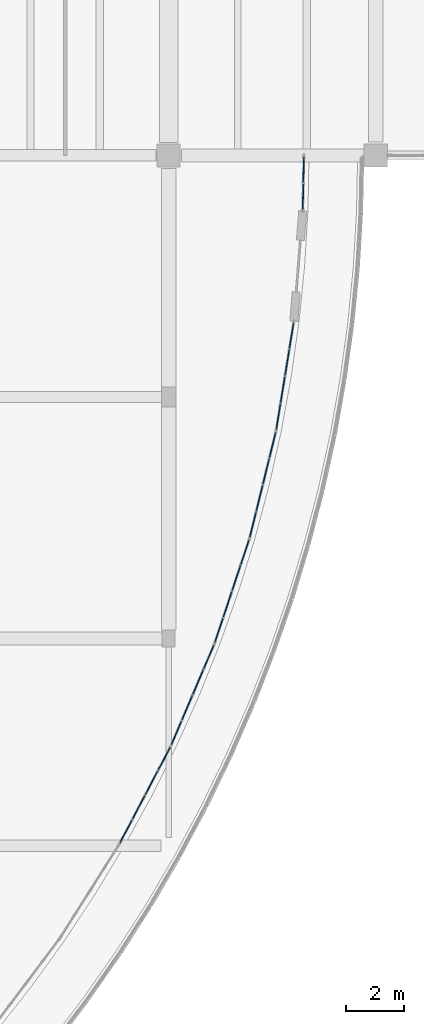
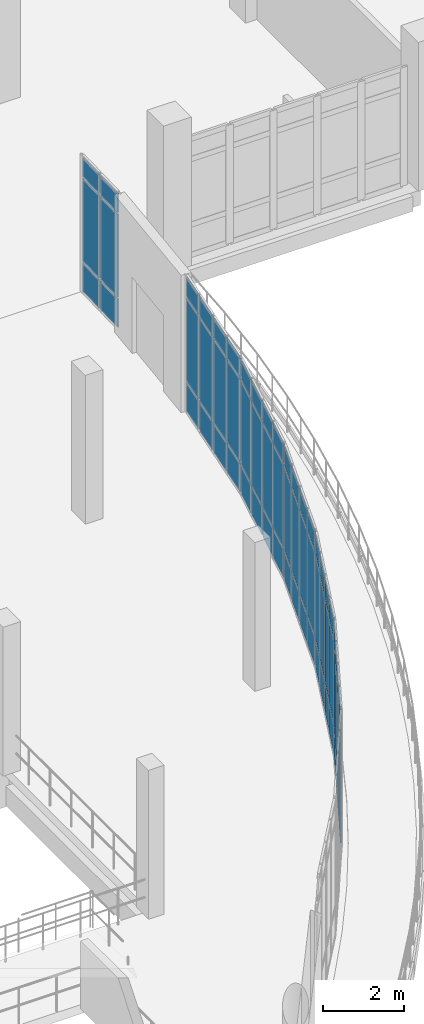
# One storey, part 100 of 124: 66 plates, 6 elements without a shape of their own.
"""IFC4 building model written with IfcOpenShell, lengths in metres."""

from ifc_helpers import new_model, si_unit, direction, frame, origin, origin_2d, place, context, subcontext, project, spatial, rectangle, extrude, material, layer, layer_set, type_object, element, aggregate, save


model = new_model("IFC4")

# Units and contexts
model_context = context("Model", 3, precision=1e-05, world=origin(), true_north=direction((0.0, 1.0)))
body_context = subcontext(model_context, "Body", "Model", "MODEL_VIEW")
ifc_project = project(units=[si_unit("LENGTHUNIT", "METRE"), si_unit("AREAUNIT", "SQUARE_METRE"), si_unit("VOLUMEUNIT", "CUBIC_METRE"), si_unit("PLANEANGLEUNIT", "RADIAN"), si_unit("MASSUNIT", "GRAM", prefix="KILO")], contexts=[model_context])

# Site, building, storey
site_placement = place(None, origin())
site = spatial("IfcSite", under=ifc_project, at=site_placement, CompositionType="ELEMENT")
building_placement = place(site_placement, origin())
building = spatial("IfcBuilding", under=site, at=building_placement, Name="Kalluvel Institute of Natural Sciences", CompositionType="ELEMENT")
storey_placement = place(building_placement, frame((0.0, 0.0, 9.89990234375)))
storey = spatial("IfcBuildingStorey", under=building, at=storey_placement, Name="L02", CompositionType="ELEMENT", Elevation=9.89990234375)

# Curtain wall, plates
ifc_material_1 = material(Name="Aluminium AW-6063 T6", Category="aluminium")
curtain_wall_type = type_object("IfcCurtainWallType", Name="CW-ATR-ARC", PredefinedType="USERDEFINED", material=ifc_material_1)
curtain_wall_1_placement = place(storey_placement, origin())
curtain_wall_1 = element("IfcCurtainWall", 1, at=curtain_wall_1_placement, inside=storey, type_object=curtain_wall_type, Name="L02 Gothic lancet curtain wall CWA-L02-X771-Y788", ObjectType="UNITISED LANCET FACADE", PredefinedType="USERDEFINED")
ifc_material_2 = material(Name="Solar-Control Low-E Laminated Glass", Category="glass")
ifc_layer = layer(ifc_material_2, 0.035888671875)
ifc_layer_set = layer_set([ifc_layer], Name="Solar-Control Low-E Laminated Glass")
plate_type = type_object("IfcPlateType", Name="CWP-DGU-36", PredefinedType="CURTAIN_PANEL", material=ifc_layer_set)
plate_1_placement = place(storey_placement, frame((77.313720703125, 79.290283203125, 0.06005859375), z_axis=(0.0, 0.0, 1.0), x_axis=(0.464734316496, 0.885450176504, 0.0)))
plate_1 = element("IfcPlate", 2, at=plate_1_placement, type_object=plate_type, Name="CW-05 panel 1.1", PredefinedType="CURTAIN_PANEL", context=body_context, shape_type="SweptSolid", body=[
    extrude(rectangle(XDim=0.874267578125, YDim=0.035888671875, at=origin_2d()), origin(), (0.0, 0.0, 1.0), 0.860107421875),
])
plate_2_placement = place(storey_placement, frame((77.313720703125, 79.290283203125, 0.97998046875), z_axis=(0.0, 0.0, 1.0), x_axis=(0.464734316496, 0.885450176504, 0.0)))
plate_2 = element("IfcPlate", 3, at=plate_2_placement, type_object=plate_type, Name="CW-05 panel 1.2", PredefinedType="CURTAIN_PANEL", context=body_context, shape_type="SweptSolid", body=[
    extrude(rectangle(XDim=0.874267578125, YDim=0.035888671875, at=origin_2d()), origin(), (0.0, 0.0, 1.0), 2.489990234375),
])
plate_3_placement = place(storey_placement, frame((77.313720703125, 79.290283203125, 3.530029296875), z_axis=(0.0, 0.0, 1.0), x_axis=(0.464734316496, 0.885450176504, 0.0)))
plate_3 = element("IfcPlate", 4, at=plate_3_placement, type_object=plate_type, Name="CW-05 panel 1.3", PredefinedType="CURTAIN_PANEL", context=body_context, shape_type="SweptSolid", body=[
    extrude(rectangle(XDim=0.874267578125, YDim=0.035888671875, at=origin_2d()), origin(), (0.0, 0.0, 1.0), 0.56005859375),
])
plate_4_placement = place(storey_placement, frame((77.7548828125, 80.130859375, 0.06005859375), z_axis=(0.0, 0.0, 1.0), x_axis=(0.464734316496, 0.885450176504, 0.0)))
plate_4 = element("IfcPlate", 5, at=plate_4_placement, type_object=plate_type, Name="CW-05 panel 2.1", PredefinedType="CURTAIN_PANEL", context=body_context, shape_type="SweptSolid", body=[
    extrude(rectangle(XDim=0.904296875, YDim=0.035888671875, at=origin_2d()), origin(), (0.0, 0.0, 1.0), 0.860107421875),
])
plate_5_placement = place(storey_placement, frame((77.7548828125, 80.130859375, 0.97998046875), z_axis=(0.0, 0.0, 1.0), x_axis=(0.464734316496, 0.885450176504, 0.0)))
plate_5 = element("IfcPlate", 6, at=plate_5_placement, type_object=plate_type, Name="CW-05 panel 2.2", PredefinedType="CURTAIN_PANEL", context=body_context, shape_type="SweptSolid", body=[
    extrude(rectangle(XDim=0.904296875, YDim=0.035888671875, at=origin_2d()), origin(), (0.0, 0.0, 1.0), 2.489990234375),
])
plate_6_placement = place(storey_placement, frame((77.7548828125, 80.130859375, 3.530029296875), z_axis=(0.0, 0.0, 1.0), x_axis=(0.464734316496, 0.885450176504, 0.0)))
plate_6 = element("IfcPlate", 7, at=plate_6_placement, type_object=plate_type, Name="CW-05 panel 2.3", PredefinedType="CURTAIN_PANEL", context=body_context, shape_type="SweptSolid", body=[
    extrude(rectangle(XDim=0.904296875, YDim=0.035888671875, at=origin_2d()), origin(), (0.0, 0.0, 1.0), 0.56005859375),
])
plate_7_placement = place(storey_placement, frame((78.203125, 80.98486328125, 0.06005859375), z_axis=(0.0, 0.0, 1.0), x_axis=(0.464734316496, 0.885450176504, 0.0)))
plate_7 = element("IfcPlate", 8, at=plate_7_placement, type_object=plate_type, Name="CW-05 panel 3.1", PredefinedType="CURTAIN_PANEL", context=body_context, shape_type="SweptSolid", body=[
    extrude(rectangle(XDim=0.904296875, YDim=0.035888671875, at=origin_2d()), origin(), (0.0, 0.0, 1.0), 0.860107421875),
])
plate_8_placement = place(storey_placement, frame((78.203125, 80.98486328125, 0.97998046875), z_axis=(0.0, 0.0, 1.0), x_axis=(0.464734316496, 0.885450176504, 0.0)))
plate_8 = element("IfcPlate", 9, at=plate_8_placement, type_object=plate_type, Name="CW-05 panel 3.2", PredefinedType="CURTAIN_PANEL", context=body_context, shape_type="SweptSolid", body=[
    extrude(rectangle(XDim=0.904296875, YDim=0.035888671875, at=origin_2d()), origin(), (0.0, 0.0, 1.0), 2.489990234375),
])
plate_9_placement = place(storey_placement, frame((78.203125, 80.98486328125, 3.530029296875), z_axis=(0.0, 0.0, 1.0), x_axis=(0.464734316496, 0.885450176504, 0.0)))
plate_9 = element("IfcPlate", 10, at=plate_9_placement, type_object=plate_type, Name="CW-05 panel 3.3", PredefinedType="CURTAIN_PANEL", context=body_context, shape_type="SweptSolid", body=[
    extrude(rectangle(XDim=0.904296875, YDim=0.035888671875, at=origin_2d()), origin(), (0.0, 0.0, 1.0), 0.56005859375),
])
plate_10_placement = place(storey_placement, frame((78.644287109375, 81.825439453125, 0.06005859375), z_axis=(0.0, 0.0, 1.0), x_axis=(0.464734316496, 0.885450176504, 0.0)))
plate_10 = element("IfcPlate", 11, at=plate_10_placement, type_object=plate_type, Name="CW-05 panel 4.1", PredefinedType="CURTAIN_PANEL", context=body_context, shape_type="SweptSolid", body=[
    extrude(rectangle(XDim=0.874267578125, YDim=0.035888671875, at=origin_2d()), origin(), (0.0, 0.0, 1.0), 0.860107421875),
])
plate_11_placement = place(storey_placement, frame((78.644287109375, 81.825439453125, 0.97998046875), z_axis=(0.0, 0.0, 1.0), x_axis=(0.464734316496, 0.885450176504, 0.0)))
plate_11 = element("IfcPlate", 12, at=plate_11_placement, type_object=plate_type, Name="CW-05 panel 4.2", PredefinedType="CURTAIN_PANEL", context=body_context, shape_type="SweptSolid", body=[
    extrude(rectangle(XDim=0.874267578125, YDim=0.035888671875, at=origin_2d()), origin(), (0.0, 0.0, 1.0), 2.489990234375),
])
plate_12_placement = place(storey_placement, frame((78.644287109375, 81.825439453125, 3.530029296875), z_axis=(0.0, 0.0, 1.0), x_axis=(0.464734316496, 0.885450176504, 0.0)))
plate_12 = element("IfcPlate", 13, at=plate_12_placement, type_object=plate_type, Name="CW-05 panel 4.3", PredefinedType="CURTAIN_PANEL", context=body_context, shape_type="SweptSolid", body=[
    extrude(rectangle(XDim=0.874267578125, YDim=0.035888671875, at=origin_2d()), origin(), (0.0, 0.0, 1.0), 0.56005859375),
])
aggregate(curtain_wall_1, [plate_1, plate_2, plate_3, plate_4, plate_5, plate_6, plate_7, plate_8, plate_9, plate_10, plate_11, plate_12])

curtain_wall_2_placement = place(storey_placement, origin())
curtain_wall_2 = element("IfcCurtainWall", 14, at=curtain_wall_2_placement, inside=storey, type_object=curtain_wall_type, Name="L02 Gothic lancet curtain wall CWA-L02-X789-Y823", ObjectType="UNITISED LANCET FACADE", PredefinedType="USERDEFINED")
plate_13_placement = place(storey_placement, frame((79.070068359375, 82.722900390625, 0.06005859375), z_axis=(0.0, 0.0, 1.0), x_axis=(0.391966088453, 0.919979665809, 0.0)))
plate_13 = element("IfcPlate", 15, at=plate_13_placement, type_object=plate_type, Name="CW-05 panel 1.1", PredefinedType="CURTAIN_PANEL", context=body_context, shape_type="SweptSolid", body=[
    extrude(rectangle(XDim=0.874267578125, YDim=0.035888671875, at=origin_2d()), origin(), (0.0, 0.0, 1.0), 0.860107421875),
])
plate_14_placement = place(storey_placement, frame((79.070068359375, 82.722900390625, 0.97998046875), z_axis=(0.0, 0.0, 1.0), x_axis=(0.391966088453, 0.919979665809, 0.0)))
plate_14 = element("IfcPlate", 16, at=plate_14_placement, type_object=plate_type, Name="CW-05 panel 1.2", PredefinedType="CURTAIN_PANEL", context=body_context, shape_type="SweptSolid", body=[
    extrude(rectangle(XDim=0.874267578125, YDim=0.035888671875, at=origin_2d()), origin(), (0.0, 0.0, 1.0), 2.489990234375),
])
plate_15_placement = place(storey_placement, frame((79.070068359375, 82.722900390625, 3.530029296875), z_axis=(0.0, 0.0, 1.0), x_axis=(0.391966088453, 0.919979665809, 0.0)))
plate_15 = element("IfcPlate", 17, at=plate_15_placement, type_object=plate_type, Name="CW-05 panel 1.3", PredefinedType="CURTAIN_PANEL", context=body_context, shape_type="SweptSolid", body=[
    extrude(rectangle(XDim=0.874267578125, YDim=0.035888671875, at=origin_2d()), origin(), (0.0, 0.0, 1.0), 0.56005859375),
])
plate_16_placement = place(storey_placement, frame((79.4423828125, 83.596435546875, 0.06005859375), z_axis=(0.0, 0.0, 1.0), x_axis=(0.391966088453, 0.919979665809, 0.0)))
plate_16 = element("IfcPlate", 18, at=plate_16_placement, type_object=plate_type, Name="CW-05 panel 2.1", PredefinedType="CURTAIN_PANEL", context=body_context, shape_type="SweptSolid", body=[
    extrude(rectangle(XDim=0.904296875, YDim=0.035888671875, at=origin_2d()), origin(), (0.0, 0.0, 1.0), 0.860107421875),
])
plate_17_placement = place(storey_placement, frame((79.4423828125, 83.596435546875, 0.97998046875), z_axis=(0.0, 0.0, 1.0), x_axis=(0.391966088453, 0.919979665809, 0.0)))
plate_17 = element("IfcPlate", 19, at=plate_17_placement, type_object=plate_type, Name="CW-05 panel 2.2", PredefinedType="CURTAIN_PANEL", context=body_context, shape_type="SweptSolid", body=[
    extrude(rectangle(XDim=0.904296875, YDim=0.035888671875, at=origin_2d()), origin(), (0.0, 0.0, 1.0), 2.489990234375),
])
plate_18_placement = place(storey_placement, frame((79.4423828125, 83.596435546875, 3.530029296875), z_axis=(0.0, 0.0, 1.0), x_axis=(0.391966088453, 0.919979665809, 0.0)))
plate_18 = element("IfcPlate", 20, at=plate_18_placement, type_object=plate_type, Name="CW-05 panel 2.3", PredefinedType="CURTAIN_PANEL", context=body_context, shape_type="SweptSolid", body=[
    extrude(rectangle(XDim=0.904296875, YDim=0.035888671875, at=origin_2d()), origin(), (0.0, 0.0, 1.0), 0.56005859375),
])
plate_19_placement = place(storey_placement, frame((79.8203125, 84.483642578125, 0.06005859375), z_axis=(0.0, 0.0, 1.0), x_axis=(0.391966088453, 0.919979665809, 0.0)))
plate_19 = element("IfcPlate", 21, at=plate_19_placement, type_object=plate_type, Name="CW-05 panel 3.1", PredefinedType="CURTAIN_PANEL", context=body_context, shape_type="SweptSolid", body=[
    extrude(rectangle(XDim=0.904296875, YDim=0.035888671875, at=origin_2d()), origin(), (0.0, 0.0, 1.0), 0.860107421875),
])
plate_20_placement = place(storey_placement, frame((79.8203125, 84.483642578125, 0.97998046875), z_axis=(0.0, 0.0, 1.0), x_axis=(0.391966088453, 0.919979665809, 0.0)))
plate_20 = element("IfcPlate", 22, at=plate_20_placement, type_object=plate_type, Name="CW-05 panel 3.2", PredefinedType="CURTAIN_PANEL", context=body_context, shape_type="SweptSolid", body=[
    extrude(rectangle(XDim=0.904296875, YDim=0.035888671875, at=origin_2d()), origin(), (0.0, 0.0, 1.0), 2.489990234375),
])
plate_21_placement = place(storey_placement, frame((79.8203125, 84.483642578125, 3.530029296875), z_axis=(0.0, 0.0, 1.0), x_axis=(0.391966088453, 0.919979665809, 0.0)))
plate_21 = element("IfcPlate", 23, at=plate_21_placement, type_object=plate_type, Name="CW-05 panel 3.3", PredefinedType="CURTAIN_PANEL", context=body_context, shape_type="SweptSolid", body=[
    extrude(rectangle(XDim=0.904296875, YDim=0.035888671875, at=origin_2d()), origin(), (0.0, 0.0, 1.0), 0.56005859375),
])
plate_22_placement = place(storey_placement, frame((80.1923828125, 85.35693359375, 0.06005859375), z_axis=(0.0, 0.0, 1.0), x_axis=(0.391966088453, 0.919979665809, 0.0)))
plate_22 = element("IfcPlate", 24, at=plate_22_placement, type_object=plate_type, Name="CW-05 panel 4.1", PredefinedType="CURTAIN_PANEL", context=body_context, shape_type="SweptSolid", body=[
    extrude(rectangle(XDim=0.874267578125, YDim=0.035888671875, at=origin_2d()), origin(), (0.0, 0.0, 1.0), 0.860107421875),
])
plate_23_placement = place(storey_placement, frame((80.1923828125, 85.35693359375, 0.97998046875), z_axis=(0.0, 0.0, 1.0), x_axis=(0.391966088453, 0.919979665809, 0.0)))
plate_23 = element("IfcPlate", 25, at=plate_23_placement, type_object=plate_type, Name="CW-05 panel 4.2", PredefinedType="CURTAIN_PANEL", context=body_context, shape_type="SweptSolid", body=[
    extrude(rectangle(XDim=0.874267578125, YDim=0.035888671875, at=origin_2d()), origin(), (0.0, 0.0, 1.0), 2.489990234375),
])
plate_24_placement = place(storey_placement, frame((80.1923828125, 85.35693359375, 3.530029296875), z_axis=(0.0, 0.0, 1.0), x_axis=(0.391966088453, 0.919979665809, 0.0)))
plate_24 = element("IfcPlate", 26, at=plate_24_placement, type_object=plate_type, Name="CW-05 panel 4.3", PredefinedType="CURTAIN_PANEL", context=body_context, shape_type="SweptSolid", body=[
    extrude(rectangle(XDim=0.874267578125, YDim=0.035888671875, at=origin_2d()), origin(), (0.0, 0.0, 1.0), 0.56005859375),
])
aggregate(curtain_wall_2, [plate_13, plate_14, plate_15, plate_16, plate_17, plate_18, plate_19, plate_20, plate_21, plate_22, plate_23, plate_24])

curtain_wall_3_placement = place(storey_placement, origin())
curtain_wall_3 = element("IfcCurtainWall", 27, at=curtain_wall_3_placement, inside=storey, type_object=curtain_wall_type, Name="L02 Gothic lancet curtain wall CWA-L02-X804-Y858", ObjectType="UNITISED LANCET FACADE", PredefinedType="USERDEFINED")
plate_25_placement = place(storey_placement, frame((80.544677734375, 86.285888671875, 0.06005859375), z_axis=(0.0, 0.0, 1.0), x_axis=(0.316655471516, 0.948540622408, 0.0)))
plate_25 = element("IfcPlate", 28, at=plate_25_placement, type_object=plate_type, Name="CW-05 panel 1.1", PredefinedType="CURTAIN_PANEL", context=body_context, shape_type="SweptSolid", body=[
    extrude(rectangle(XDim=0.874267578125, YDim=0.035888671875, at=origin_2d()), origin(), (0.0, 0.0, 1.0), 0.860107421875),
])
plate_26_placement = place(storey_placement, frame((80.544677734375, 86.285888671875, 0.97998046875), z_axis=(0.0, 0.0, 1.0), x_axis=(0.316655471516, 0.948540622408, 0.0)))
plate_26 = element("IfcPlate", 29, at=plate_26_placement, type_object=plate_type, Name="CW-05 panel 1.2", PredefinedType="CURTAIN_PANEL", context=body_context, shape_type="SweptSolid", body=[
    extrude(rectangle(XDim=0.874267578125, YDim=0.035888671875, at=origin_2d()), origin(), (0.0, 0.0, 1.0), 2.489990234375),
])
plate_27_placement = place(storey_placement, frame((80.544677734375, 86.285888671875, 3.530029296875), z_axis=(0.0, 0.0, 1.0), x_axis=(0.316655471516, 0.948540622408, 0.0)))
plate_27 = element("IfcPlate", 30, at=plate_27_placement, type_object=plate_type, Name="CW-05 panel 1.3", PredefinedType="CURTAIN_PANEL", context=body_context, shape_type="SweptSolid", body=[
    extrude(rectangle(XDim=0.874267578125, YDim=0.035888671875, at=origin_2d()), origin(), (0.0, 0.0, 1.0), 0.56005859375),
])
plate_28_placement = place(storey_placement, frame((80.845458984375, 87.1865234375, 0.06005859375), z_axis=(0.0, 0.0, 1.0), x_axis=(0.316655471516, 0.948540622408, 0.0)))
plate_28 = element("IfcPlate", 31, at=plate_28_placement, type_object=plate_type, Name="CW-05 panel 2.1", PredefinedType="CURTAIN_PANEL", context=body_context, shape_type="SweptSolid", body=[
    extrude(rectangle(XDim=0.904296875, YDim=0.035888671875, at=origin_2d()), origin(), (0.0, 0.0, 1.0), 0.860107421875),
])
plate_29_placement = place(storey_placement, frame((80.845458984375, 87.1865234375, 0.97998046875), z_axis=(0.0, 0.0, 1.0), x_axis=(0.316655471516, 0.948540622408, 0.0)))
plate_29 = element("IfcPlate", 32, at=plate_29_placement, type_object=plate_type, Name="CW-05 panel 2.2", PredefinedType="CURTAIN_PANEL", context=body_context, shape_type="SweptSolid", body=[
    extrude(rectangle(XDim=0.904296875, YDim=0.035888671875, at=origin_2d()), origin(), (0.0, 0.0, 1.0), 2.489990234375),
])
plate_30_placement = place(storey_placement, frame((80.845458984375, 87.1865234375, 3.530029296875), z_axis=(0.0, 0.0, 1.0), x_axis=(0.316655471516, 0.948540622408, 0.0)))
plate_30 = element("IfcPlate", 33, at=plate_30_placement, type_object=plate_type, Name="CW-05 panel 2.3", PredefinedType="CURTAIN_PANEL", context=body_context, shape_type="SweptSolid", body=[
    extrude(rectangle(XDim=0.904296875, YDim=0.035888671875, at=origin_2d()), origin(), (0.0, 0.0, 1.0), 0.56005859375),
])
plate_31_placement = place(storey_placement, frame((81.150634765625, 88.101318359375, 0.06005859375), z_axis=(0.0, 0.0, 1.0), x_axis=(0.316655471516, 0.948540622408, 0.0)))
plate_31 = element("IfcPlate", 34, at=plate_31_placement, type_object=plate_type, Name="CW-05 panel 3.1", PredefinedType="CURTAIN_PANEL", context=body_context, shape_type="SweptSolid", body=[
    extrude(rectangle(XDim=0.904296875, YDim=0.035888671875, at=origin_2d()), origin(), (0.0, 0.0, 1.0), 0.860107421875),
])
plate_32_placement = place(storey_placement, frame((81.150634765625, 88.101318359375, 0.97998046875), z_axis=(0.0, 0.0, 1.0), x_axis=(0.316655471516, 0.948540622408, 0.0)))
plate_32 = element("IfcPlate", 35, at=plate_32_placement, type_object=plate_type, Name="CW-05 panel 3.2", PredefinedType="CURTAIN_PANEL", context=body_context, shape_type="SweptSolid", body=[
    extrude(rectangle(XDim=0.904296875, YDim=0.035888671875, at=origin_2d()), origin(), (0.0, 0.0, 1.0), 2.489990234375),
])
plate_33_placement = place(storey_placement, frame((81.150634765625, 88.101318359375, 3.530029296875), z_axis=(0.0, 0.0, 1.0), x_axis=(0.316655471516, 0.948540622408, 0.0)))
plate_33 = element("IfcPlate", 36, at=plate_33_placement, type_object=plate_type, Name="CW-05 panel 3.3", PredefinedType="CURTAIN_PANEL", context=body_context, shape_type="SweptSolid", body=[
    extrude(rectangle(XDim=0.904296875, YDim=0.035888671875, at=origin_2d()), origin(), (0.0, 0.0, 1.0), 0.56005859375),
])
plate_34_placement = place(storey_placement, frame((81.451416015625, 89.001708984375, 0.06005859375), z_axis=(0.0, 0.0, 1.0), x_axis=(0.316655471516, 0.948540622408, 0.0)))
plate_34 = element("IfcPlate", 37, at=plate_34_placement, type_object=plate_type, Name="CW-05 panel 4.1", PredefinedType="CURTAIN_PANEL", context=body_context, shape_type="SweptSolid", body=[
    extrude(rectangle(XDim=0.874267578125, YDim=0.035888671875, at=origin_2d()), origin(), (0.0, 0.0, 1.0), 0.860107421875),
])
plate_35_placement = place(storey_placement, frame((81.451416015625, 89.001708984375, 0.97998046875), z_axis=(0.0, 0.0, 1.0), x_axis=(0.316655471516, 0.948540622408, 0.0)))
plate_35 = element("IfcPlate", 38, at=plate_35_placement, type_object=plate_type, Name="CW-05 panel 4.2", PredefinedType="CURTAIN_PANEL", context=body_context, shape_type="SweptSolid", body=[
    extrude(rectangle(XDim=0.874267578125, YDim=0.035888671875, at=origin_2d()), origin(), (0.0, 0.0, 1.0), 2.489990234375),
])
plate_36_placement = place(storey_placement, frame((81.451416015625, 89.001708984375, 3.530029296875), z_axis=(0.0, 0.0, 1.0), x_axis=(0.316655471516, 0.948540622408, 0.0)))
plate_36 = element("IfcPlate", 39, at=plate_36_placement, type_object=plate_type, Name="CW-05 panel 4.3", PredefinedType="CURTAIN_PANEL", context=body_context, shape_type="SweptSolid", body=[
    extrude(rectangle(XDim=0.874267578125, YDim=0.035888671875, at=origin_2d()), origin(), (0.0, 0.0, 1.0), 0.56005859375),
])
aggregate(curtain_wall_3, [plate_25, plate_26, plate_27, plate_28, plate_29, plate_30, plate_31, plate_32, plate_33, plate_34, plate_35, plate_36])

curtain_wall_4_placement = place(storey_placement, origin())
curtain_wall_4 = element("IfcCurtainWall", 40, at=curtain_wall_4_placement, inside=storey, type_object=curtain_wall_type, Name="L02 Gothic lancet curtain wall CWA-L02-X816-Y895", ObjectType="UNITISED LANCET FACADE", PredefinedType="USERDEFINED")
plate_37_placement = place(storey_placement, frame((81.727783203125, 89.9560546875, 0.06005859375), z_axis=(0.0, 0.0, 1.0), x_axis=(0.239325882586, 0.970939298785, 0.0)))
plate_37 = element("IfcPlate", 41, at=plate_37_placement, type_object=plate_type, Name="CW-05 panel 1.1", PredefinedType="CURTAIN_PANEL", context=body_context, shape_type="SweptSolid", body=[
    extrude(rectangle(XDim=0.874267578125, YDim=0.035888671875, at=origin_2d()), origin(), (0.0, 0.0, 1.0), 0.860107421875),
])
plate_38_placement = place(storey_placement, frame((81.727783203125, 89.9560546875, 0.97998046875), z_axis=(0.0, 0.0, 1.0), x_axis=(0.239325882586, 0.970939298785, 0.0)))
plate_38 = element("IfcPlate", 42, at=plate_38_placement, type_object=plate_type, Name="CW-05 panel 1.2", PredefinedType="CURTAIN_PANEL", context=body_context, shape_type="SweptSolid", body=[
    extrude(rectangle(XDim=0.874267578125, YDim=0.035888671875, at=origin_2d()), origin(), (0.0, 0.0, 1.0), 2.489990234375),
])
plate_39_placement = place(storey_placement, frame((81.727783203125, 89.9560546875, 3.530029296875), z_axis=(0.0, 0.0, 1.0), x_axis=(0.239325882586, 0.970939298785, 0.0)))
plate_39 = element("IfcPlate", 43, at=plate_39_placement, type_object=plate_type, Name="CW-05 panel 1.3", PredefinedType="CURTAIN_PANEL", context=body_context, shape_type="SweptSolid", body=[
    extrude(rectangle(XDim=0.874267578125, YDim=0.035888671875, at=origin_2d()), origin(), (0.0, 0.0, 1.0), 0.56005859375),
])
plate_40_placement = place(storey_placement, frame((81.955078125, 90.8779296875, 0.06005859375), z_axis=(0.0, 0.0, 1.0), x_axis=(0.239325882586, 0.970939298785, 0.0)))
plate_40 = element("IfcPlate", 44, at=plate_40_placement, type_object=plate_type, Name="CW-05 panel 2.1", PredefinedType="CURTAIN_PANEL", context=body_context, shape_type="SweptSolid", body=[
    extrude(rectangle(XDim=0.904296875, YDim=0.035888671875, at=origin_2d()), origin(), (0.0, 0.0, 1.0), 0.860107421875),
])
plate_41_placement = place(storey_placement, frame((81.955078125, 90.8779296875, 0.97998046875), z_axis=(0.0, 0.0, 1.0), x_axis=(0.239325882586, 0.970939298785, 0.0)))
plate_41 = element("IfcPlate", 45, at=plate_41_placement, type_object=plate_type, Name="CW-05 panel 2.2", PredefinedType="CURTAIN_PANEL", context=body_context, shape_type="SweptSolid", body=[
    extrude(rectangle(XDim=0.904296875, YDim=0.035888671875, at=origin_2d()), origin(), (0.0, 0.0, 1.0), 2.489990234375),
])
plate_42_placement = place(storey_placement, frame((81.955078125, 90.8779296875, 3.530029296875), z_axis=(0.0, 0.0, 1.0), x_axis=(0.239325882586, 0.970939298785, 0.0)))
plate_42 = element("IfcPlate", 46, at=plate_42_placement, type_object=plate_type, Name="CW-05 panel 2.3", PredefinedType="CURTAIN_PANEL", context=body_context, shape_type="SweptSolid", body=[
    extrude(rectangle(XDim=0.904296875, YDim=0.035888671875, at=origin_2d()), origin(), (0.0, 0.0, 1.0), 0.56005859375),
])
plate_43_placement = place(storey_placement, frame((82.185791015625, 91.814208984375, 0.06005859375), z_axis=(0.0, 0.0, 1.0), x_axis=(0.239325882586, 0.970939298785, 0.0)))
plate_43 = element("IfcPlate", 47, at=plate_43_placement, type_object=plate_type, Name="CW-05 panel 3.1", PredefinedType="CURTAIN_PANEL", context=body_context, shape_type="SweptSolid", body=[
    extrude(rectangle(XDim=0.904296875, YDim=0.035888671875, at=origin_2d()), origin(), (0.0, 0.0, 1.0), 0.860107421875),
])
plate_44_placement = place(storey_placement, frame((82.185791015625, 91.814208984375, 0.97998046875), z_axis=(0.0, 0.0, 1.0), x_axis=(0.239325882586, 0.970939298785, 0.0)))
plate_44 = element("IfcPlate", 48, at=plate_44_placement, type_object=plate_type, Name="CW-05 panel 3.2", PredefinedType="CURTAIN_PANEL", context=body_context, shape_type="SweptSolid", body=[
    extrude(rectangle(XDim=0.904296875, YDim=0.035888671875, at=origin_2d()), origin(), (0.0, 0.0, 1.0), 2.489990234375),
])
plate_45_placement = place(storey_placement, frame((82.185791015625, 91.814208984375, 3.530029296875), z_axis=(0.0, 0.0, 1.0), x_axis=(0.239325882586, 0.970939298785, 0.0)))
plate_45 = element("IfcPlate", 49, at=plate_45_placement, type_object=plate_type, Name="CW-05 panel 3.3", PredefinedType="CURTAIN_PANEL", context=body_context, shape_type="SweptSolid", body=[
    extrude(rectangle(XDim=0.904296875, YDim=0.035888671875, at=origin_2d()), origin(), (0.0, 0.0, 1.0), 0.56005859375),
])
plate_46_placement = place(storey_placement, frame((82.4130859375, 92.736083984375, 0.06005859375), z_axis=(0.0, 0.0, 1.0), x_axis=(0.239325882586, 0.970939298785, 0.0)))
plate_46 = element("IfcPlate", 50, at=plate_46_placement, type_object=plate_type, Name="CW-05 panel 4.1", PredefinedType="CURTAIN_PANEL", context=body_context, shape_type="SweptSolid", body=[
    extrude(rectangle(XDim=0.874267578125, YDim=0.035888671875, at=origin_2d()), origin(), (0.0, 0.0, 1.0), 0.860107421875),
])
plate_47_placement = place(storey_placement, frame((82.4130859375, 92.736083984375, 0.97998046875), z_axis=(0.0, 0.0, 1.0), x_axis=(0.239325882586, 0.970939298785, 0.0)))
plate_47 = element("IfcPlate", 51, at=plate_47_placement, type_object=plate_type, Name="CW-05 panel 4.2", PredefinedType="CURTAIN_PANEL", context=body_context, shape_type="SweptSolid", body=[
    extrude(rectangle(XDim=0.874267578125, YDim=0.035888671875, at=origin_2d()), origin(), (0.0, 0.0, 1.0), 2.489990234375),
])
plate_48_placement = place(storey_placement, frame((82.4130859375, 92.736083984375, 3.530029296875), z_axis=(0.0, 0.0, 1.0), x_axis=(0.239325882586, 0.970939298785, 0.0)))
plate_48 = element("IfcPlate", 52, at=plate_48_placement, type_object=plate_type, Name="CW-05 panel 4.3", PredefinedType="CURTAIN_PANEL", context=body_context, shape_type="SweptSolid", body=[
    extrude(rectangle(XDim=0.874267578125, YDim=0.035888671875, at=origin_2d()), origin(), (0.0, 0.0, 1.0), 0.56005859375),
])
aggregate(curtain_wall_4, [plate_37, plate_38, plate_39, plate_40, plate_41, plate_42, plate_43, plate_44, plate_45, plate_46, plate_47, plate_48])

curtain_wall_5_placement = place(storey_placement, origin())
curtain_wall_5 = element("IfcCurtainWall", 53, at=curtain_wall_5_placement, inside=storey, type_object=curtain_wall_type, Name="L02 Gothic lancet curtain wall CWA-L02-X825-Y932", ObjectType="UNITISED LANCET FACADE", PredefinedType="USERDEFINED")
plate_49_placement = place(storey_placement, frame((82.61181640625, 93.70947265625, 0.06005859375), z_axis=(0.0, 0.0, 1.0), x_axis=(0.160416590565, 0.987049399712, 0.0)))
plate_49 = element("IfcPlate", 54, at=plate_49_placement, type_object=plate_type, Name="CW-05 panel 1.1", PredefinedType="CURTAIN_PANEL", context=body_context, shape_type="SweptSolid", body=[
    extrude(rectangle(XDim=0.874267578125, YDim=0.035888671875, at=origin_2d()), origin(), (0.0, 0.0, 1.0), 0.860107421875),
])
plate_50_placement = place(storey_placement, frame((82.61181640625, 93.70947265625, 0.97998046875), z_axis=(0.0, 0.0, 1.0), x_axis=(0.160416590565, 0.987049399712, 0.0)))
plate_50 = element("IfcPlate", 55, at=plate_50_placement, type_object=plate_type, Name="CW-05 panel 1.2", PredefinedType="CURTAIN_PANEL", context=body_context, shape_type="SweptSolid", body=[
    extrude(rectangle(XDim=0.874267578125, YDim=0.035888671875, at=origin_2d()), origin(), (0.0, 0.0, 1.0), 2.489990234375),
])
plate_51_placement = place(storey_placement, frame((82.61181640625, 93.70947265625, 3.530029296875), z_axis=(0.0, 0.0, 1.0), x_axis=(0.160416590565, 0.987049399712, 0.0)))
plate_51 = element("IfcPlate", 56, at=plate_51_placement, type_object=plate_type, Name="CW-05 panel 1.3", PredefinedType="CURTAIN_PANEL", context=body_context, shape_type="SweptSolid", body=[
    extrude(rectangle(XDim=0.874267578125, YDim=0.035888671875, at=origin_2d()), origin(), (0.0, 0.0, 1.0), 0.56005859375),
])
plate_52_placement = place(storey_placement, frame((82.76416015625, 94.646728515625, 0.06005859375), z_axis=(0.0, 0.0, 1.0), x_axis=(0.160416590565, 0.987049399712, 0.0)))
plate_52 = element("IfcPlate", 57, at=plate_52_placement, type_object=plate_type, Name="CW-05 panel 2.1", PredefinedType="CURTAIN_PANEL", context=body_context, shape_type="SweptSolid", body=[
    extrude(rectangle(XDim=0.904296875, YDim=0.035888671875, at=origin_2d()), origin(), (0.0, 0.0, 1.0), 0.860107421875),
])
plate_53_placement = place(storey_placement, frame((82.76416015625, 94.646728515625, 0.97998046875), z_axis=(0.0, 0.0, 1.0), x_axis=(0.160416590565, 0.987049399712, 0.0)))
plate_53 = element("IfcPlate", 58, at=plate_53_placement, type_object=plate_type, Name="CW-05 panel 2.2", PredefinedType="CURTAIN_PANEL", context=body_context, shape_type="SweptSolid", body=[
    extrude(rectangle(XDim=0.904296875, YDim=0.035888671875, at=origin_2d()), origin(), (0.0, 0.0, 1.0), 2.489990234375),
])
plate_54_placement = place(storey_placement, frame((82.76416015625, 94.646728515625, 3.530029296875), z_axis=(0.0, 0.0, 1.0), x_axis=(0.160416590565, 0.987049399712, 0.0)))
plate_54 = element("IfcPlate", 59, at=plate_54_placement, type_object=plate_type, Name="CW-05 panel 2.3", PredefinedType="CURTAIN_PANEL", context=body_context, shape_type="SweptSolid", body=[
    extrude(rectangle(XDim=0.904296875, YDim=0.035888671875, at=origin_2d()), origin(), (0.0, 0.0, 1.0), 0.56005859375),
])
plate_55_placement = place(storey_placement, frame((82.918701171875, 95.598388671875, 0.06005859375), z_axis=(0.0, 0.0, 1.0), x_axis=(0.160416590565, 0.987049399712, 0.0)))
plate_55 = element("IfcPlate", 60, at=plate_55_placement, type_object=plate_type, Name="CW-05 panel 3.1", PredefinedType="CURTAIN_PANEL", context=body_context, shape_type="SweptSolid", body=[
    extrude(rectangle(XDim=0.904296875, YDim=0.035888671875, at=origin_2d()), origin(), (0.0, 0.0, 1.0), 0.860107421875),
])
plate_56_placement = place(storey_placement, frame((82.918701171875, 95.598388671875, 0.97998046875), z_axis=(0.0, 0.0, 1.0), x_axis=(0.160416590565, 0.987049399712, 0.0)))
plate_56 = element("IfcPlate", 61, at=plate_56_placement, type_object=plate_type, Name="CW-05 panel 3.2", PredefinedType="CURTAIN_PANEL", context=body_context, shape_type="SweptSolid", body=[
    extrude(rectangle(XDim=0.904296875, YDim=0.035888671875, at=origin_2d()), origin(), (0.0, 0.0, 1.0), 2.489990234375),
])
plate_57_placement = place(storey_placement, frame((82.918701171875, 95.598388671875, 3.530029296875), z_axis=(0.0, 0.0, 1.0), x_axis=(0.160416590565, 0.987049399712, 0.0)))
plate_57 = element("IfcPlate", 62, at=plate_57_placement, type_object=plate_type, Name="CW-05 panel 3.3", PredefinedType="CURTAIN_PANEL", context=body_context, shape_type="SweptSolid", body=[
    extrude(rectangle(XDim=0.904296875, YDim=0.035888671875, at=origin_2d()), origin(), (0.0, 0.0, 1.0), 0.56005859375),
])
plate_58_placement = place(storey_placement, frame((83.071044921875, 96.53564453125, 0.06005859375), z_axis=(0.0, 0.0, 1.0), x_axis=(0.160416590565, 0.987049399712, 0.0)))
plate_58 = element("IfcPlate", 63, at=plate_58_placement, type_object=plate_type, Name="CW-05 panel 4.1", PredefinedType="CURTAIN_PANEL", context=body_context, shape_type="SweptSolid", body=[
    extrude(rectangle(XDim=0.874267578125, YDim=0.035888671875, at=origin_2d()), origin(), (0.0, 0.0, 1.0), 0.860107421875),
])
plate_59_placement = place(storey_placement, frame((83.071044921875, 96.53564453125, 0.97998046875), z_axis=(0.0, 0.0, 1.0), x_axis=(0.160416590565, 0.987049399712, 0.0)))
plate_59 = element("IfcPlate", 64, at=plate_59_placement, type_object=plate_type, Name="CW-05 panel 4.2", PredefinedType="CURTAIN_PANEL", context=body_context, shape_type="SweptSolid", body=[
    extrude(rectangle(XDim=0.874267578125, YDim=0.035888671875, at=origin_2d()), origin(), (0.0, 0.0, 1.0), 2.489990234375),
])
plate_60_placement = place(storey_placement, frame((83.071044921875, 96.53564453125, 3.530029296875), z_axis=(0.0, 0.0, 1.0), x_axis=(0.160416590565, 0.987049399712, 0.0)))
plate_60 = element("IfcPlate", 65, at=plate_60_placement, type_object=plate_type, Name="CW-05 panel 4.3", PredefinedType="CURTAIN_PANEL", context=body_context, shape_type="SweptSolid", body=[
    extrude(rectangle(XDim=0.874267578125, YDim=0.035888671875, at=origin_2d()), origin(), (0.0, 0.0, 1.0), 0.56005859375),
])
aggregate(curtain_wall_5, [plate_49, plate_50, plate_51, plate_52, plate_53, plate_54, plate_55, plate_56, plate_57, plate_58, plate_59, plate_60])

curtain_wall_6_placement = place(storey_placement, origin())
curtain_wall_6 = element("IfcCurtainWall", 66, at=curtain_wall_6_placement, inside=storey, type_object=curtain_wall_type, Name="L02 Gothic lancet curtain wall CWA-L02-X835-Y1009", ObjectType="UNITISED LANCET FACADE", PredefinedType="USERDEFINED")
plate_61_placement = place(storey_placement, frame((83.47119140625, 101.368408203125, 0.06005859375), z_axis=(0.0, 0.0, 1.0), x_axis=(0.02011310789, 0.999797710985, 0.0)))
plate_61 = element("IfcPlate", 67, at=plate_61_placement, type_object=plate_type, Name="CW-05 panel 1.1", PredefinedType="CURTAIN_PANEL", context=body_context, shape_type="SweptSolid", body=[
    extrude(rectangle(XDim=0.87451171875, YDim=0.035888671875, at=origin_2d()), origin(), (0.0, 0.0, 1.0), 0.860107421875),
])
plate_62_placement = place(storey_placement, frame((83.47119140625, 101.368408203125, 0.97998046875), z_axis=(0.0, 0.0, 1.0), x_axis=(0.02011310789, 0.999797710985, 0.0)))
plate_62 = element("IfcPlate", 68, at=plate_62_placement, type_object=plate_type, Name="CW-05 panel 1.2", PredefinedType="CURTAIN_PANEL", context=body_context, shape_type="SweptSolid", body=[
    extrude(rectangle(XDim=0.87451171875, YDim=0.035888671875, at=origin_2d()), origin(), (0.0, 0.0, 1.0), 2.489990234375),
])
plate_63_placement = place(storey_placement, frame((83.47119140625, 101.368408203125, 3.530029296875), z_axis=(0.0, 0.0, 1.0), x_axis=(0.02011310789, 0.999797710985, 0.0)))
plate_63 = element("IfcPlate", 69, at=plate_63_placement, type_object=plate_type, Name="CW-05 panel 1.3", PredefinedType="CURTAIN_PANEL", context=body_context, shape_type="SweptSolid", body=[
    extrude(rectangle(XDim=0.87451171875, YDim=0.035888671875, at=origin_2d()), origin(), (0.0, 0.0, 1.0), 0.56005859375),
])
plate_64_placement = place(storey_placement, frame((83.489990234375, 102.302734375, 0.06005859375), z_axis=(0.0, 0.0, 1.0), x_axis=(0.02011310789, 0.999797710985, 0.0)))
plate_64 = element("IfcPlate", 70, at=plate_64_placement, type_object=plate_type, Name="CW-05 panel 2.1", PredefinedType="CURTAIN_PANEL", context=body_context, shape_type="SweptSolid", body=[
    extrude(rectangle(XDim=0.87451171875, YDim=0.035888671875, at=origin_2d()), origin(), (0.0, 0.0, 1.0), 0.860107421875),
])
plate_65_placement = place(storey_placement, frame((83.489990234375, 102.302734375, 0.97998046875), z_axis=(0.0, 0.0, 1.0), x_axis=(0.02011310789, 0.999797710985, 0.0)))
plate_65 = element("IfcPlate", 71, at=plate_65_placement, type_object=plate_type, Name="CW-05 panel 2.2", PredefinedType="CURTAIN_PANEL", context=body_context, shape_type="SweptSolid", body=[
    extrude(rectangle(XDim=0.87451171875, YDim=0.035888671875, at=origin_2d()), origin(), (0.0, 0.0, 1.0), 2.489990234375),
])
plate_66_placement = place(storey_placement, frame((83.489990234375, 102.302734375, 3.530029296875), z_axis=(0.0, 0.0, 1.0), x_axis=(0.02011310789, 0.999797710985, 0.0)))
plate_66 = element("IfcPlate", 72, at=plate_66_placement, type_object=plate_type, Name="CW-05 panel 2.3", PredefinedType="CURTAIN_PANEL", context=body_context, shape_type="SweptSolid", body=[
    extrude(rectangle(XDim=0.87451171875, YDim=0.035888671875, at=origin_2d()), origin(), (0.0, 0.0, 1.0), 0.56005859375),
])
aggregate(curtain_wall_6, [plate_61, plate_62, plate_63, plate_64, plate_65, plate_66])

save(model, "model.ifc")
